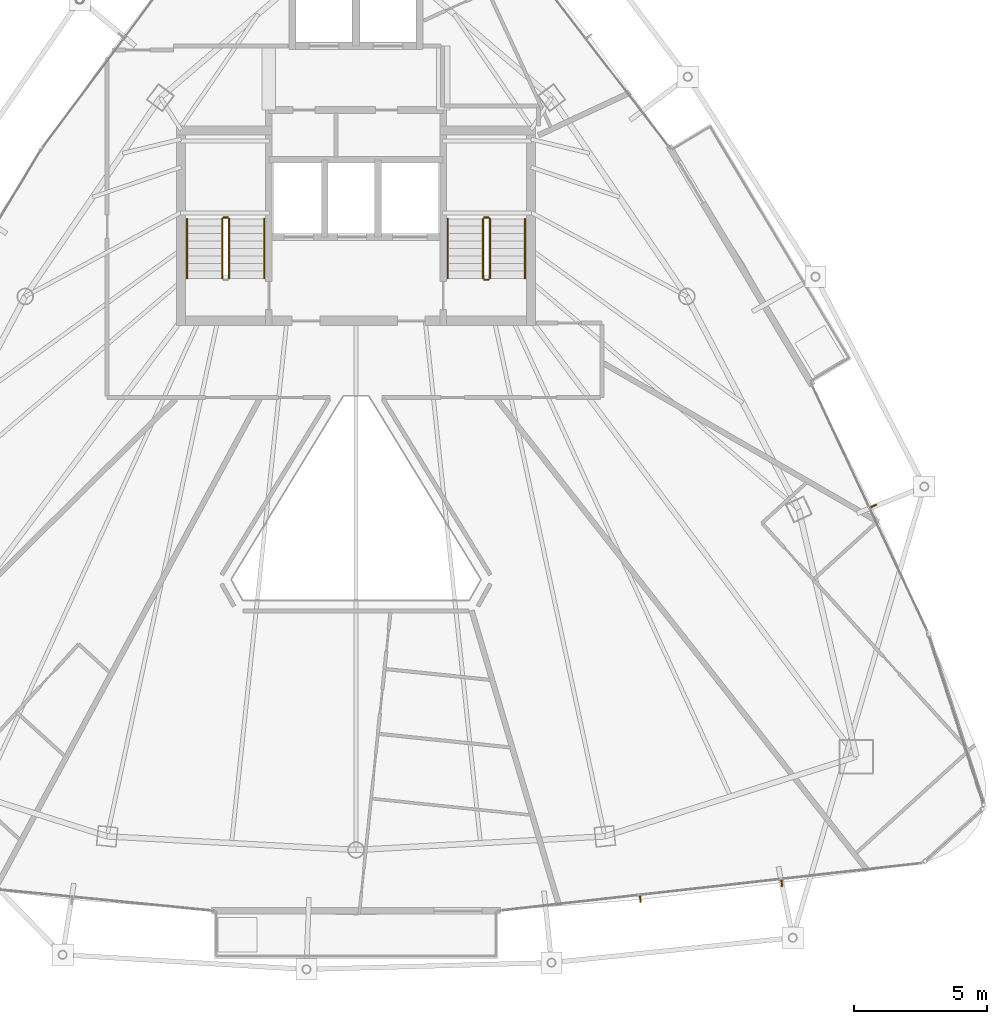
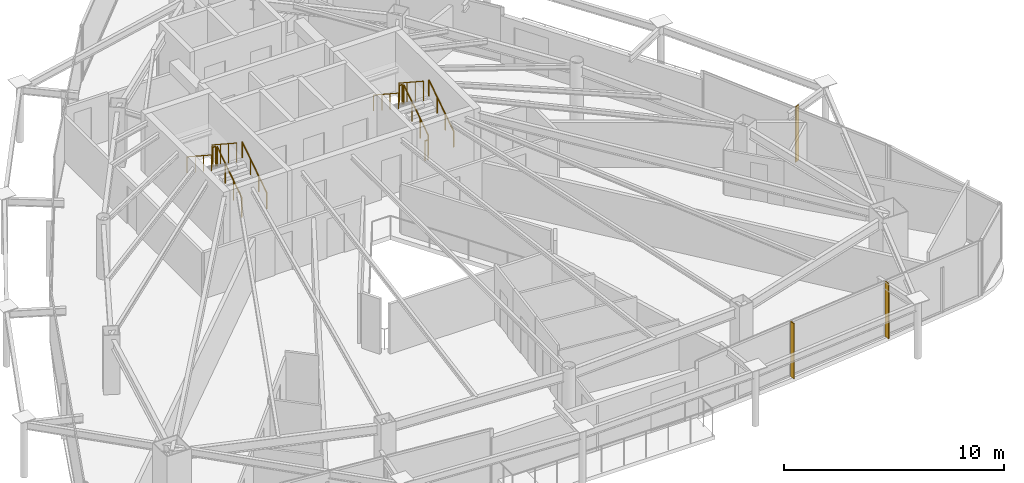
# One storey, part 33 of 34: 11 railings, 3 shading devices.
"""IFC4 building model written with IfcOpenShell, lengths in metres."""

from ifc_helpers import new_model, si_unit, direction, frame, origin, origin_2d, place, context, subcontext, project, spatial, rectangle, circle, extrude, material, layer, layer_set, type_object, element, save


model = new_model("IFC4")

# Units and contexts
model_context = context("Model", 3, precision=1e-05, world=origin(), true_north=direction((0.0, 1.0)))
body_context = subcontext(model_context, "Body", "Model", "MODEL_VIEW")
ifc_project = project(units=[si_unit("LENGTHUNIT", "METRE"), si_unit("AREAUNIT", "SQUARE_METRE"), si_unit("VOLUMEUNIT", "CUBIC_METRE"), si_unit("PLANEANGLEUNIT", "RADIAN"), si_unit("MASSUNIT", "GRAM", prefix="KILO")], contexts=[model_context])

# Site, building, storey
site_placement = place(None, origin())
site = spatial("IfcSite", under=ifc_project, at=site_placement, CompositionType="ELEMENT")
building_placement = place(site_placement, origin())
building = spatial("IfcBuilding", under=site, at=building_placement, Name="Orvanel Arch Residences", CompositionType="ELEMENT")
storey_placement = place(building_placement, frame((0.0, 0.0, 203.0)))
storey = spatial("IfcBuildingStorey", under=building, at=storey_placement, Name="L57", CompositionType="ELEMENT", Elevation=203.0)

# Shading devices
ifc_material_1 = material(Name="Bronze-anodised aluminium AA6063-T6", Category="aluminium")
ifc_layer = layer(ifc_material_1, 0.050048828125)
ifc_layer_set = layer_set([ifc_layer], Name="Bronze-anodised aluminium AA6063-T6")
shading_device_type = type_object("IfcShadingDeviceType", Name="FIN-BRZ-260", PredefinedType="USERDEFINED", material=ifc_layer_set)
for number, where, z_axis, x_axis, name in (
    (1, (43.681884765625, 5.0009765625, 0.0), (0.0, 0.0, 1.0), (0.111468932206, -0.993767919161, 0.0), "L57 Anodised Bronze Mullion FIN 01"),
    (2, (48.9970703125, 5.59912109375, 0.0), (0.0, 0.0, 1.0), (0.111468932206, -0.993767919161, 0.0), "L57 Anodised Bronze Mullion FIN 02"),
    (3, (52.43505859375, 19.763916015625, 0.0), (0.0, 0.0, 1.0), (0.905568799011, 0.424199422745, 0.0), "L57 Anodised Bronze Mullion FIN 01"),
):
    element("IfcShadingDevice", number, at=place(storey_placement, frame(where, z_axis=z_axis, x_axis=x_axis)), inside=storey, type_object=shading_device_type, Name=name, ObjectType="FIN", PredefinedType="USERDEFINED", context=body_context, shape_type="SweptSolid", body=[
        extrude(rectangle(XDim=0.260009765625, YDim=0.050048828125, at=origin_2d()), origin(), (0.0, 0.0, 1.0), 3.06005859375),
    ])

# Railings
ifc_material_2 = material(Name="Structural steel AS/NZS 1163 C350L0 (Grade 350)", Category="steel")
railing_type_1 = type_object("IfcRailingType", Name="RL-STAIR-GUARD", PredefinedType="GUARDRAIL", material=ifc_material_2)
railing_1_placement = place(storey_placement, frame((28.22998046875, 28.320068359375, 0.183349609375)))
element("IfcRailing", 4, at=railing_1_placement, inside=storey, type_object=railing_type_1, Name="L57 ST-1 stair guard 1", PredefinedType="GUARDRAIL", context=body_context, shape_type="SweptSolid", body=[
    extrude(circle(Radius=0.02392578125, at=origin_2d()), frame((0.0, 0.001220703125, 1.076904296875), z_axis=(0.0, 0.836636935527, 0.547757827979), x_axis=(-1.0, 0.0, 0.0)), (0.0, 0.0, 1.0), 2.67431640625),
    extrude(circle(Radius=0.02099609375, at=origin_2d()), origin(), (0.0, 0.0, 1.0), 1.050048828125),
    extrude(circle(Radius=0.02099609375, at=origin_2d()), frame((0.0, 0.74658203125, 0.48876953125)), (0.0, 0.0, 1.0), 1.050048828125),
    extrude(circle(Radius=0.02099609375, at=origin_2d()), frame((0.0, 1.493408203125, 0.977783203125)), (0.0, 0.0, 1.0), 1.050048828125),
    extrude(circle(Radius=0.02099609375, at=origin_2d()), frame((0.0, 2.239990234375, 1.466552734375)), (0.0, 0.0, 1.0), 1.050048828125),
])
railing_2_placement = place(storey_placement, frame((28.179931640625, 30.610107421875, 1.64990234375)))
element("IfcRailing", 5, at=railing_2_placement, inside=storey, type_object=railing_type_1, Name="L57 ST-1 stair guard 2", PredefinedType="GUARDRAIL", context=body_context, shape_type="SweptSolid", body=[
    extrude(circle(Radius=0.02392578125, at=origin_2d()), frame((-0.00146484375, 0.0, 1.076171875), z_axis=(-1.0, 0.0, 0.0), x_axis=(0.0, -1.0, 0.0)), (0.0, 0.0, 1.0), 0.156982421875),
    extrude(circle(Radius=0.02099609375, at=origin_2d()), origin(), (0.0, 0.0, 1.0), 1.050048828125),
    extrude(circle(Radius=0.02099609375, at=origin_2d()), frame((-0.159912109375, 0.0, 0.0)), (0.0, 0.0, 1.0), 1.050048828125),
])
railing_3_placement = place(storey_placement, frame((27.969970703125, 30.56005859375, 1.833251953125)))
element("IfcRailing", 6, at=railing_3_placement, inside=storey, type_object=railing_type_1, Name="L57 ST-1 stair guard 3", PredefinedType="GUARDRAIL", context=body_context, shape_type="SweptSolid", body=[
    extrude(circle(Radius=0.02392578125, at=origin_2d()), frame((0.0, -0.001220703125, 1.076904296875), z_axis=(0.0, -0.836595146698, 0.547821650285), x_axis=(1.0, 0.0, 0.0)), (0.0, 0.0, 1.0), 2.674560546875),
    extrude(circle(Radius=0.02099609375, at=origin_2d()), origin(), (0.0, 0.0, 1.0), 1.050048828125),
    extrude(circle(Radius=0.02099609375, at=origin_2d()), frame((0.0, -0.74658203125, 0.489013671875)), (0.0, 0.0, 1.0), 1.050048828125),
    extrude(circle(Radius=0.02099609375, at=origin_2d()), frame((0.0, -1.493408203125, 0.977783203125)), (0.0, 0.0, 1.0), 1.050048828125),
    extrude(circle(Radius=0.02099609375, at=origin_2d()), frame((0.0, -2.239990234375, 1.466796875)), (0.0, 0.0, 1.0), 1.050048828125),
])
railing_4_placement = place(storey_placement, frame((38.030029296875, 28.320068359375, 0.183349609375)))
element("IfcRailing", 7, at=railing_4_placement, inside=storey, type_object=railing_type_1, Name="L57 ST-2 stair guard 1", PredefinedType="GUARDRAIL", context=body_context, shape_type="SweptSolid", body=[
    extrude(circle(Radius=0.02392578125, at=origin_2d()), frame((0.0, 0.001220703125, 1.076904296875), z_axis=(0.0, 0.836636935527, 0.547757827979), x_axis=(-1.0, 0.0, 0.0)), (0.0, 0.0, 1.0), 2.67431640625),
    extrude(circle(Radius=0.02099609375, at=origin_2d()), origin(), (0.0, 0.0, 1.0), 1.050048828125),
    extrude(circle(Radius=0.02099609375, at=origin_2d()), frame((0.0, 0.74658203125, 0.48876953125)), (0.0, 0.0, 1.0), 1.050048828125),
    extrude(circle(Radius=0.02099609375, at=origin_2d()), frame((0.0, 1.493408203125, 0.977783203125)), (0.0, 0.0, 1.0), 1.050048828125),
    extrude(circle(Radius=0.02099609375, at=origin_2d()), frame((0.0, 2.239990234375, 1.466552734375)), (0.0, 0.0, 1.0), 1.050048828125),
])
railing_5_placement = place(storey_placement, frame((37.97998046875, 30.610107421875, 1.64990234375)))
element("IfcRailing", 8, at=railing_5_placement, inside=storey, type_object=railing_type_1, Name="L57 ST-2 stair guard 2", PredefinedType="GUARDRAIL", context=body_context, shape_type="SweptSolid", body=[
    extrude(circle(Radius=0.02392578125, at=origin_2d()), frame((-0.00146484375, 0.0, 1.076171875), z_axis=(-1.0, 0.0, 0.0), x_axis=(0.0, -1.0, 0.0)), (0.0, 0.0, 1.0), 0.156982421875),
    extrude(circle(Radius=0.02099609375, at=origin_2d()), origin(), (0.0, 0.0, 1.0), 1.050048828125),
    extrude(circle(Radius=0.02099609375, at=origin_2d()), frame((-0.159912109375, 0.0, 0.0)), (0.0, 0.0, 1.0), 1.050048828125),
])
railing_6_placement = place(storey_placement, frame((37.77001953125, 30.56005859375, 1.833251953125)))
element("IfcRailing", 9, at=railing_6_placement, inside=storey, type_object=railing_type_1, Name="L57 ST-2 stair guard 3", PredefinedType="GUARDRAIL", context=body_context, shape_type="SweptSolid", body=[
    extrude(circle(Radius=0.02392578125, at=origin_2d()), frame((0.0, -0.001220703125, 1.076904296875), z_axis=(0.0, -0.836595146698, 0.547821650285), x_axis=(1.0, 0.0, 0.0)), (0.0, 0.0, 1.0), 2.674560546875),
    extrude(circle(Radius=0.02099609375, at=origin_2d()), origin(), (0.0, 0.0, 1.0), 1.050048828125),
    extrude(circle(Radius=0.02099609375, at=origin_2d()), frame((0.0, -0.74658203125, 0.489013671875)), (0.0, 0.0, 1.0), 1.050048828125),
    extrude(circle(Radius=0.02099609375, at=origin_2d()), frame((0.0, -1.493408203125, 0.977783203125)), (0.0, 0.0, 1.0), 1.050048828125),
    extrude(circle(Radius=0.02099609375, at=origin_2d()), frame((0.0, -2.239990234375, 1.466796875)), (0.0, 0.0, 1.0), 1.050048828125),
])
railing_7_placement = place(storey_placement, frame((37.97998046875, 28.27001953125, 0.0)))
element("IfcRailing", 10, at=railing_7_placement, inside=storey, type_object=railing_type_1, Name="L57 ST-2 stair guard 4", PredefinedType="GUARDRAIL", context=body_context, shape_type="SweptSolid", body=[
    extrude(circle(Radius=0.02392578125, at=origin_2d()), frame((-0.00146484375, 0.0, 1.076171875), z_axis=(-1.0, 0.0, 0.0), x_axis=(0.0, -1.0, 0.0)), (0.0, 0.0, 1.0), 0.156982421875),
    extrude(circle(Radius=0.02099609375, at=origin_2d()), origin(), (0.0, 0.0, 1.0), 1.050048828125),
    extrude(circle(Radius=0.02099609375, at=origin_2d()), frame((-0.159912109375, 0.0, 0.0)), (0.0, 0.0, 1.0), 1.050048828125),
])
railing_type_2 = type_object("IfcRailingType", Name="RL-STAIR-HAND", PredefinedType="HANDRAIL", material=ifc_material_2)
railing_8_placement = place(storey_placement, frame((29.550048828125, 28.320068359375, 0.183349609375)))
element("IfcRailing", 11, at=railing_8_placement, inside=storey, type_object=railing_type_2, Name="L57 ST-1 stair handrail 1", PredefinedType="HANDRAIL", context=body_context, shape_type="SweptSolid", body=[
    extrude(circle(Radius=0.02392578125, at=origin_2d()), frame((0.0, 0.001220703125, 0.876708984375), z_axis=(0.0, 0.836636935527, 0.547757827979), x_axis=(-1.0, 0.0, 0.0)), (0.0, 0.0, 1.0), 2.67431640625),
    extrude(circle(Radius=0.02099609375, at=origin_2d()), origin(), (0.0, 0.0, 1.0), 0.849853515625),
    extrude(circle(Radius=0.02099609375, at=origin_2d()), frame((0.0, 0.74658203125, 0.48876953125)), (0.0, 0.0, 1.0), 0.849853515625),
    extrude(circle(Radius=0.02099609375, at=origin_2d()), frame((0.0, 1.493408203125, 0.977783203125)), (0.0, 0.0, 1.0), 0.849853515625),
    extrude(circle(Radius=0.02099609375, at=origin_2d()), frame((0.0, 2.239990234375, 1.466552734375)), (0.0, 0.0, 1.0), 0.849853515625),
])
railing_9_placement = place(storey_placement, frame((26.64990234375, 30.56005859375, 1.833251953125)))
element("IfcRailing", 12, at=railing_9_placement, inside=storey, type_object=railing_type_2, Name="L57 ST-1 stair handrail 2", PredefinedType="HANDRAIL", context=body_context, shape_type="SweptSolid", body=[
    extrude(circle(Radius=0.02392578125, at=origin_2d()), frame((0.0, -0.001220703125, 0.876708984375), z_axis=(0.0, -0.836595146698, 0.547821650285), x_axis=(1.0, 0.0, 0.0)), (0.0, 0.0, 1.0), 2.674560546875),
    extrude(circle(Radius=0.02099609375, at=origin_2d()), origin(), (0.0, 0.0, 1.0), 0.849853515625),
    extrude(circle(Radius=0.02099609375, at=origin_2d()), frame((0.0, -0.74658203125, 0.489013671875)), (0.0, 0.0, 1.0), 0.849853515625),
    extrude(circle(Radius=0.02099609375, at=origin_2d()), frame((0.0, -1.493408203125, 0.977783203125)), (0.0, 0.0, 1.0), 0.849853515625),
    extrude(circle(Radius=0.02099609375, at=origin_2d()), frame((0.0, -2.239990234375, 1.466796875)), (0.0, 0.0, 1.0), 0.849853515625),
])
railing_10_placement = place(storey_placement, frame((39.35009765625, 28.320068359375, 0.183349609375)))
element("IfcRailing", 13, at=railing_10_placement, inside=storey, type_object=railing_type_2, Name="L57 ST-2 stair handrail 1", PredefinedType="HANDRAIL", context=body_context, shape_type="SweptSolid", body=[
    extrude(circle(Radius=0.02392578125, at=origin_2d()), frame((0.0, 0.001220703125, 0.876708984375), z_axis=(0.0, 0.836636935527, 0.547757827979), x_axis=(-1.0, 0.0, 0.0)), (0.0, 0.0, 1.0), 2.67431640625),
    extrude(circle(Radius=0.02099609375, at=origin_2d()), origin(), (0.0, 0.0, 1.0), 0.849853515625),
    extrude(circle(Radius=0.02099609375, at=origin_2d()), frame((0.0, 0.74658203125, 0.48876953125)), (0.0, 0.0, 1.0), 0.849853515625),
    extrude(circle(Radius=0.02099609375, at=origin_2d()), frame((0.0, 1.493408203125, 0.977783203125)), (0.0, 0.0, 1.0), 0.849853515625),
    extrude(circle(Radius=0.02099609375, at=origin_2d()), frame((0.0, 2.239990234375, 1.466552734375)), (0.0, 0.0, 1.0), 0.849853515625),
])
railing_11_placement = place(storey_placement, frame((36.449951171875, 30.56005859375, 1.833251953125)))
element("IfcRailing", 14, at=railing_11_placement, inside=storey, type_object=railing_type_2, Name="L57 ST-2 stair handrail 2", PredefinedType="HANDRAIL", context=body_context, shape_type="SweptSolid", body=[
    extrude(circle(Radius=0.02392578125, at=origin_2d()), frame((0.0, -0.001220703125, 0.876708984375), z_axis=(0.0, -0.836595146698, 0.547821650285), x_axis=(1.0, 0.0, 0.0)), (0.0, 0.0, 1.0), 2.674560546875),
    extrude(circle(Radius=0.02099609375, at=origin_2d()), origin(), (0.0, 0.0, 1.0), 0.849853515625),
    extrude(circle(Radius=0.02099609375, at=origin_2d()), frame((0.0, -0.74658203125, 0.489013671875)), (0.0, 0.0, 1.0), 0.849853515625),
    extrude(circle(Radius=0.02099609375, at=origin_2d()), frame((0.0, -1.493408203125, 0.977783203125)), (0.0, 0.0, 1.0), 0.849853515625),
    extrude(circle(Radius=0.02099609375, at=origin_2d()), frame((0.0, -2.239990234375, 1.466796875)), (0.0, 0.0, 1.0), 0.849853515625),
])

save(model, "model.ifc")
